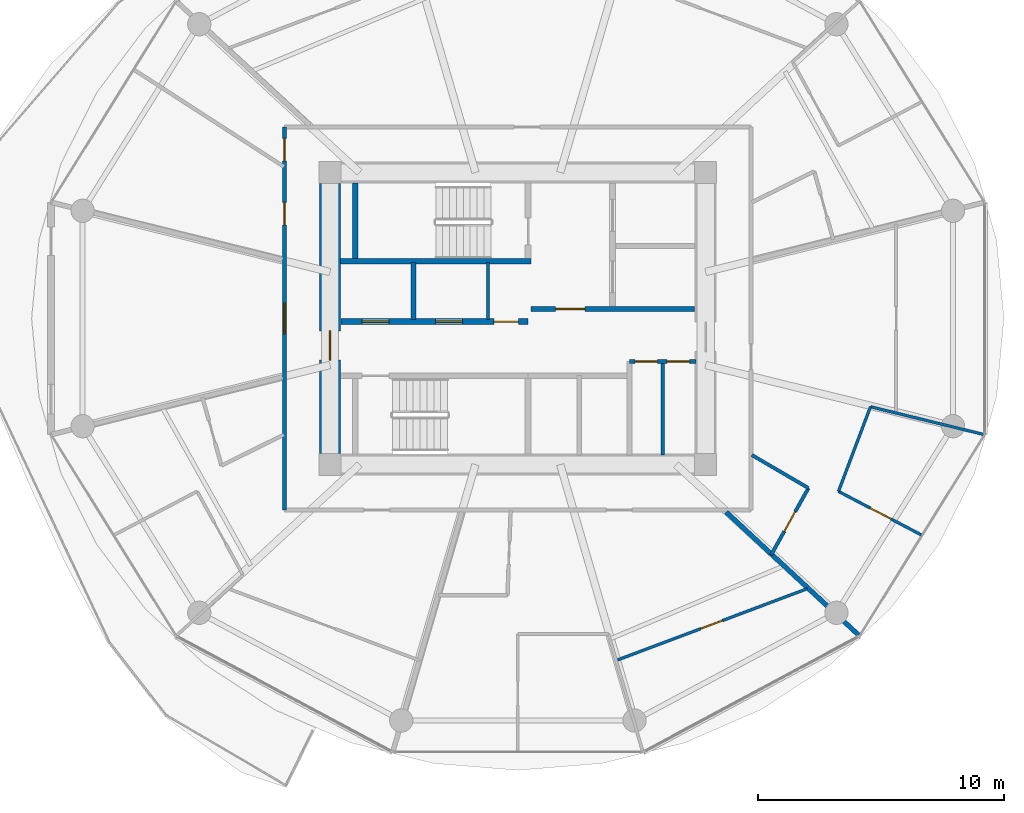
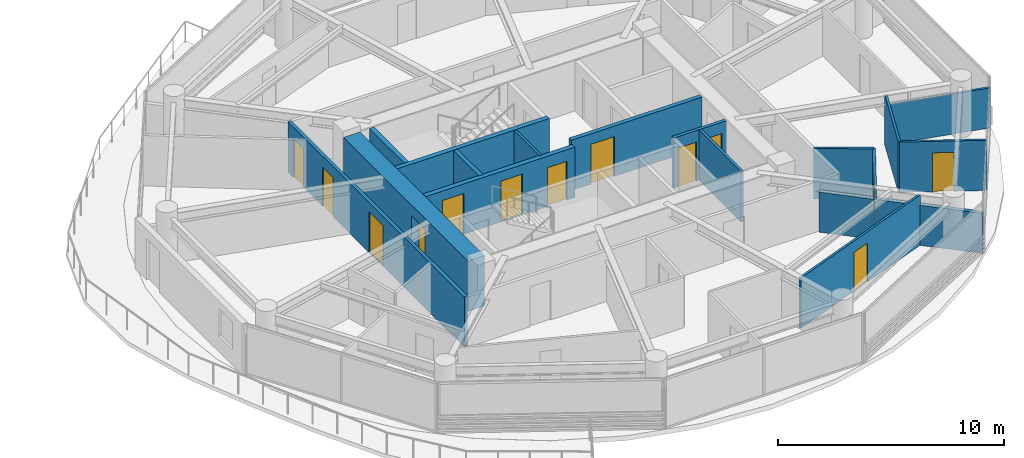
# One storey, part 19 of 26: 17 walls, 13 doors, 13 openings.
"""IFC4 building model written with IfcOpenShell, lengths in metres."""

from ifc_helpers import new_model, si_unit, direction, frame, frame_2d, origin, place, context, subcontext, project, spatial, rectangle, extrude, source, transform, mapped, material, layer, layer_set, type_object, type_shapes, element, fill, save


model = new_model("IFC4")

# Units and contexts
model_context = context("Model", 3, precision=1e-05, world=origin(), true_north=direction((0.0, 1.0)))
body_context = subcontext(model_context, "Body", "Model", "MODEL_VIEW")
ifc_project = project(units=[si_unit("LENGTHUNIT", "METRE"), si_unit("AREAUNIT", "SQUARE_METRE"), si_unit("VOLUMEUNIT", "CUBIC_METRE"), si_unit("PLANEANGLEUNIT", "RADIAN"), si_unit("MASSUNIT", "GRAM", prefix="KILO")], contexts=[model_context])

# Site, building, storey
site_placement = place(None, origin())
site = spatial("IfcSite", under=ifc_project, at=site_placement, CompositionType="ELEMENT")
building_placement = place(site_placement, origin())
building = spatial("IfcBuilding", under=site, at=building_placement, Name="Norrkilde Senior Care Towers", CompositionType="ELEMENT")
storey_placement = place(building_placement, frame((0.0, 0.0, 70.39990234375)))
storey = spatial("IfcBuildingStorey", under=building, at=storey_placement, Name="L21", CompositionType="ELEMENT", Elevation=70.39990234375)

# Wall, opening, door
ifc_material_1 = material(Name="Concrete C60/75", Category="concrete")
ifc_layer_1 = layer(ifc_material_1, 0.85009765625)
ifc_layer_set_1 = layer_set([ifc_layer_1], Name="Concrete C60/75")
wall_type_1 = type_object("IfcWallType", Name="Core Shear Wall Z1 850", PredefinedType="SHEAR", material=ifc_layer_set_1)
shared_shape_1 = source(origin(), body_context, "Body", "SweptSolid", [
    extrude(rectangle(XDim=11.0, YDim=0.85009765625, at=frame_2d((5.5, 0.0))), origin(), (0.0, 0.0, 1.0), 2.72998046875),
])
type_shapes(wall_type_1, [shared_shape_1])
wall_1_placement = place(storey_placement, frame((20.35009765625, -5.5, 0.0), z_axis=(0.0, 0.0, 1.0), x_axis=(0.0, 1.0, 0.0)))
wall_1 = element("IfcWall", 1, at=wall_1_placement, inside=storey, type_object=wall_type_1, Name="L21 Core E West Shear Wall", PredefinedType="SHEAR", context=body_context, shape_type="MappedRepresentation", body=[
    mapped(shared_shape_1, transform((0.0, 0.0, 0.0), x_axis=(1.0, 0.0, 0.0), y_axis=(0.0, 1.0, 0.0), z_axis=(0.0, 0.0, 1.0), scale=1.0)),
])
opening_1_placement = place(wall_1_placement, frame((3.800048828125, 0.0, 0.0)))
opening_1 = element("IfcOpeningElement", 2, at=opening_1_placement, cuts=wall_1, Name="Opening D-04", PredefinedType="OPENING", context=body_context, shape_type="SweptSolid", body=[
    extrude(rectangle(XDim=1.199951171875, YDim=2.14990234375, at=frame_2d((0.60009765625, 1.074951171875))), frame((0.0, 0.43505859375, 0.0), z_axis=(0.0, -1.0, 0.0), x_axis=(1.0, 0.0, 0.0)), (0.0, 0.0, 1.0), 0.8701171875),
])
ifc_material_2 = material(Name="Galvanised Painted Steel", Category="steel")
door_type_1 = type_object("IfcDoorType", Name="Firefighting Lobby Fire Door 1200x2150", OperationType="NOTDEFINED", PredefinedType="DOOR", material=ifc_material_2)
shared_shape_2 = source(origin(), body_context, "Body", "SweptSolid", [
    extrude(rectangle(XDim=1.199951171875, YDim=2.14990234375, at=frame_2d((0.60009765625, 1.074951171875))), frame((0.0, 0.02490234375, 0.0), z_axis=(0.0, -1.0, 0.0), x_axis=(1.0, 0.0, 0.0)), (0.0, 0.0, 1.0), 0.050048828125),
])
type_shapes(door_type_1, [shared_shape_2])
door_1_placement = place(opening_1_placement, frame((1.199951171875, 0.0, 0.0), z_axis=(0.0, 0.0, 1.0), x_axis=(-1.0, 0.0, 0.0)))
door_1 = element("IfcDoor", 3, at=door_1_placement, inside=storey, type_object=door_type_1, Name="L21 Core E West Portal Door", OperationType="SINGLE_SWING_LEFT", OverallHeight=2.14990234375, OverallWidth=1.199951171875, PredefinedType="DOOR", context=body_context, shape_type="MappedRepresentation", body=[
    mapped(shared_shape_2, transform((0.0, 0.0, 0.0), x_axis=(1.0, 0.0, 0.0), y_axis=(0.0, 1.0, 0.0), z_axis=(0.0, 0.0, 1.0), scale=1.0)),
])
fill(opening_1, door_1)

# Walls
ifc_material_3 = material(Name="Concrete C45/55", Category="concrete")
ifc_layer_2 = layer(ifc_material_3, 0.239990234375)
ifc_layer_set_2 = layer_set([ifc_layer_2], Name="Concrete C45/55")
wall_type_2 = type_object("IfcWallType", Name="Shaft and Stair Enclosure Wall 240", PredefinedType="PARTITIONING", material=ifc_layer_set_2)
shared_shape_3 = source(origin(), body_context, "Body", "SweptSolid", [
    extrude(rectangle(XDim=7.76513671875, YDim=0.239990234375, at=frame_2d((3.882568359375, 0.0))), origin(), (0.0, 0.0, 1.0), 2.72998046875),
])
wall_2_placement = place(storey_placement, frame((20.77490234375, 2.330078125, 0.0), z_axis=(0.0, 0.0, 1.0), x_axis=(1.0, 0.0, 0.0)))
element("IfcWall", 4, at=wall_2_placement, inside=storey, type_object=wall_type_2, Name="WL-INT-L21-E-ST1S", PredefinedType="PARTITIONING", context=body_context, shape_type="MappedRepresentation", body=[
    mapped(shared_shape_3, transform((0.0, 0.0, 0.0), x_axis=(1.0, 0.0, 0.0), y_axis=(0.0, 1.0, 0.0), z_axis=(0.0, 0.0, 1.0), scale=1.0)),
])
shared_shape_4 = source(origin(), body_context, "Body", "SweptSolid", [
    extrude(rectangle(XDim=3.074951171875, YDim=0.239990234375, at=frame_2d((1.53759765625, 0.0))), origin(), (0.0, 0.0, 1.0), 2.72998046875),
])
type_shapes(wall_type_2, [shared_shape_3, shared_shape_4])
wall_3_placement = place(storey_placement, frame((21.3798828125, 2.449951171875, 0.0), z_axis=(0.0, 0.0, 1.0), x_axis=(0.0, 1.0, 0.0)))
element("IfcWall", 5, at=wall_3_placement, inside=storey, type_object=wall_type_2, Name="WL-INT-L21-E-ST1W", PredefinedType="PARTITIONING", context=body_context, shape_type="MappedRepresentation", body=[
    mapped(shared_shape_4, transform((0.0, 0.0, 0.0), x_axis=(1.0, 0.0, 0.0), y_axis=(0.0, 1.0, 0.0), z_axis=(0.0, 0.0, 1.0), scale=1.0)),
])

# Wall, opening, door
ifc_layer_3 = layer(ifc_material_3, 0.2099609375)
ifc_layer_set_3 = layer_set([ifc_layer_3], Name="Concrete C45/55")
wall_type_3 = type_object("IfcWallType", Name="Firefighting Lobby Wall 210", PredefinedType="PARTITIONING", material=ifc_layer_set_3)
shared_shape_5 = source(origin(), body_context, "Body", "SweptSolid", [
    extrude(rectangle(XDim=6.659912109375, YDim=0.2099609375, at=frame_2d((3.330078125, 0.0))), origin(), (0.0, 0.0, 1.0), 2.715087890625),
])
type_shapes(wall_type_3, [shared_shape_5])
wall_4_placement = place(storey_placement, frame((28.5400390625, 0.389892578125, 0.0), z_axis=(0.0, 0.0, 1.0), x_axis=(1.0, 0.0, 0.0)))
wall_4 = element("IfcWall", 6, at=wall_4_placement, inside=storey, type_object=wall_type_3, Name="WL-INT-L21-E-FFLS", PredefinedType="PARTITIONING", context=body_context, shape_type="MappedRepresentation", body=[
    mapped(shared_shape_5, transform((0.0, 0.0, 0.0), x_axis=(1.0, 0.0, 0.0), y_axis=(0.0, 1.0, 0.0), z_axis=(0.0, 0.0, 1.0), scale=1.0)),
])
opening_2_placement = place(wall_4_placement, frame((1.0, 0.0, 0.0)))
opening_2 = element("IfcOpeningElement", 7, at=opening_2_placement, cuts=wall_4, Name="Opening D-04", PredefinedType="OPENING", context=body_context, shape_type="SweptSolid", body=[
    extrude(rectangle(XDim=1.199951171875, YDim=2.14990234375, at=frame_2d((0.60009765625, 1.074951171875))), frame((0.0, 0.114990234375, 0.0), z_axis=(0.0, -1.0, 0.0), x_axis=(1.0, 0.0, 0.0)), (0.0, 0.0, 1.0), 0.22998046875),
])
door_2_placement = place(opening_2_placement, frame((1.199951171875, 0.0, 0.0), z_axis=(0.0, 0.0, 1.0), x_axis=(-1.0, 0.0, 0.0)))
door_2 = element("IfcDoor", 8, at=door_2_placement, inside=storey, type_object=door_type_1, Name="L21 Firefighting Lobby E Door", OperationType="SINGLE_SWING_LEFT", OverallHeight=2.14990234375, OverallWidth=1.199951171875, PredefinedType="DOOR", context=body_context, shape_type="MappedRepresentation", body=[
    mapped(shared_shape_2, transform((0.0, 0.0, 0.0), x_axis=(1.0, 0.0, 0.0), y_axis=(0.0, 1.0, 0.0), z_axis=(0.0, 0.0, 1.0), scale=1.0)),
])
fill(opening_2, door_2)

# Wall, openings, doors
ifc_layer_4 = layer(ifc_material_3, 0.239990234375)
ifc_layer_set_4 = layer_set([ifc_layer_4], Name="Concrete C45/55")
wall_type_4 = type_object("IfcWallType", Name="Lift and Plant Rated Enclosure Partition 240", PredefinedType="PARTITIONING", material=ifc_layer_set_4)
shared_shape_6 = source(origin(), body_context, "Body", "SweptSolid", [
    extrude(rectangle(XDim=7.619873046875, YDim=0.239990234375, at=frame_2d((3.81005859375, 0.0))), origin(), (0.0, 0.0, 1.0), 2.715087890625),
])
type_shapes(wall_type_4, [shared_shape_6])
wall_5_placement = place(storey_placement, frame((20.800048828125, -0.1298828125, 0.0), z_axis=(0.0, 0.0, 1.0), x_axis=(1.0, 0.0, 0.0)))
wall_5 = element("IfcWall", 9, at=wall_5_placement, inside=storey, type_object=wall_type_4, Name="WL-INT-L21-E-PKAS", PredefinedType="PARTITIONING", context=body_context, shape_type="MappedRepresentation", body=[
    mapped(shared_shape_6, transform((0.0, 0.0, 0.0), x_axis=(1.0, 0.0, 0.0), y_axis=(0.0, 1.0, 0.0), z_axis=(0.0, 0.0, 1.0), scale=1.0)),
])
opening_3_placement = place(wall_5_placement, frame((6.219970703125, 0.0, 0.0)))
opening_3 = element("IfcOpeningElement", 10, at=opening_3_placement, cuts=wall_5, Name="Opening D-10", PredefinedType="OPENING", context=body_context, shape_type="SweptSolid", body=[
    extrude(rectangle(XDim=1.0, YDim=2.10009765625, at=frame_2d((0.5, 1.050048828125))), frame((0.0, 0.1298828125, 0.0), z_axis=(0.0, -1.0, 0.0), x_axis=(1.0, 0.0, 0.0)), (0.0, 0.0, 1.0), 0.260009765625),
])
opening_4_placement = place(wall_5_placement, frame((0.85009765625, 0.0, 0.0)))
opening_4 = element("IfcOpeningElement", 11, at=opening_4_placement, cuts=wall_5, Name="Opening LD-01", PredefinedType="OPENING", context=body_context, shape_type="SweptSolid", body=[
    extrude(rectangle(XDim=1.10009765625, YDim=2.199951171875, at=frame_2d((0.550048828125, 1.10009765625))), frame((0.0, 0.1298828125, 0.0), z_axis=(0.0, -1.0, 0.0), x_axis=(1.0, 0.0, 0.0)), (0.0, 0.0, 1.0), 0.260009765625),
])
opening_5_placement = place(wall_5_placement, frame((3.85009765625, 0.0, 0.0)))
opening_5 = element("IfcOpeningElement", 12, at=opening_5_placement, cuts=wall_5, Name="Opening LD-01", PredefinedType="OPENING", context=body_context, shape_type="SweptSolid", body=[
    extrude(rectangle(XDim=1.10009765625, YDim=2.199951171875, at=frame_2d((0.550048828125, 1.10009765625))), frame((0.0, 0.1298828125, 0.0), z_axis=(0.0, -1.0, 0.0), x_axis=(1.0, 0.0, 0.0)), (0.0, 0.0, 1.0), 0.260009765625),
])
door_type_2 = type_object("IfcDoorType", Name="Plant and Riser Rated Door 1000x2100", OperationType="NOTDEFINED", PredefinedType="DOOR", material=ifc_material_2)
shared_shape_7 = source(origin(), body_context, "Body", "SweptSolid", [
    extrude(rectangle(XDim=1.0, YDim=2.10009765625, at=frame_2d((0.5, 1.050048828125))), frame((0.0, 0.02490234375, 0.0), z_axis=(0.0, -1.0, 0.0), x_axis=(1.0, 0.0, 0.0)), (0.0, 0.0, 1.0), 0.050048828125),
])
type_shapes(door_type_2, [shared_shape_7])
door_3_placement = place(opening_3_placement, frame((1.0, 0.0, 0.0), z_axis=(0.0, 0.0, 1.0), x_axis=(-1.0, 0.0, 0.0)))
door_3 = element("IfcDoor", 13, at=door_3_placement, inside=storey, type_object=door_type_2, Name="L21 Electrical Riser E Door", OperationType="SINGLE_SWING_LEFT", OverallHeight=2.10009765625, OverallWidth=1.0, PredefinedType="DOOR", context=body_context, shape_type="MappedRepresentation", body=[
    mapped(shared_shape_7, transform((0.0, 0.0, 0.0), x_axis=(1.0, 0.0, 0.0), y_axis=(0.0, 1.0, 0.0), z_axis=(0.0, 0.0, 1.0), scale=1.0)),
])
fill(opening_3, door_3)
ifc_material_4 = material(Name="Stainless Steel", Category="steel")
door_type_3 = type_object("IfcDoorType", Name="Lift Landing Sliding Door 1100x2200", OperationType="NOTDEFINED", PredefinedType="DOOR", material=ifc_material_4)
shared_shape_8 = source(origin(), body_context, "Body", "SweptSolid", [
    extrude(rectangle(XDim=1.10009765625, YDim=2.199951171875, at=frame_2d((0.550048828125, 1.10009765625))), frame((0.0, 0.02490234375, 0.0), z_axis=(0.0, -1.0, 0.0), x_axis=(1.0, 0.0, 0.0)), (0.0, 0.0, 1.0), 0.050048828125),
])
type_shapes(door_type_3, [shared_shape_8])
door_4_placement = place(opening_4_placement, origin())
door_4 = element("IfcDoor", 14, at=door_4_placement, inside=storey, type_object=door_type_3, Name="L21 Passenger Lift E1 Landing Door", OperationType="SLIDING_TO_LEFT", OverallHeight=2.199951171875, OverallWidth=1.10009765625, PredefinedType="DOOR", context=body_context, shape_type="MappedRepresentation", body=[
    mapped(shared_shape_8, transform((0.0, 0.0, 0.0), x_axis=(1.0, 0.0, 0.0), y_axis=(0.0, 1.0, 0.0), z_axis=(0.0, 0.0, 1.0), scale=1.0)),
])
fill(opening_4, door_4)
door_5_placement = place(opening_5_placement, origin())
door_5 = element("IfcDoor", 15, at=door_5_placement, inside=storey, type_object=door_type_3, Name="L21 Passenger Lift E2 Landing Door", OperationType="SLIDING_TO_RIGHT", OverallHeight=2.199951171875, OverallWidth=1.10009765625, PredefinedType="DOOR", context=body_context, shape_type="MappedRepresentation", body=[
    mapped(shared_shape_8, transform((0.0, 0.0, 0.0), x_axis=(1.0, 0.0, 0.0), y_axis=(0.0, 1.0, 0.0), z_axis=(0.0, 0.0, 1.0), scale=1.0)),
])
fill(opening_5, door_5)

# Walls
ifc_material_5 = material(Name="Gypsum Acoustic Board")
ifc_layer_5 = layer(ifc_material_5, 0.114990234375)
ifc_layer_set_5 = layer_set([ifc_layer_5], Name="Gypsum Acoustic Board")
wall_type_5 = type_object("IfcWallType", Name="Internal Room Partition 115", PredefinedType="PARTITIONING", material=ifc_layer_set_5)
shared_shape_9 = source(origin(), body_context, "Body", "SweptSolid", [
    extrude(rectangle(XDim=2.330078125, YDim=0.114990234375, at=frame_2d((1.1650390625, 0.0))), origin(), (0.0, 0.0, 1.0), 2.715087890625),
])
wall_6_placement = place(storey_placement, frame((26.7900390625, -0.050048828125, 0.0), z_axis=(0.0, 0.0, 1.0), x_axis=(0.0, 1.0, 0.0)))
element("IfcWall", 16, at=wall_6_placement, inside=storey, type_object=wall_type_5, Name="WL-INT-L21-E-RISW", PredefinedType="PARTITIONING", context=body_context, shape_type="MappedRepresentation", body=[
    mapped(shared_shape_9, transform((0.0, 0.0, 0.0), x_axis=(1.0, 0.0, 0.0), y_axis=(0.0, 1.0, 0.0), z_axis=(0.0, 0.0, 1.0), scale=1.0)),
])
ifc_layer_6 = layer(ifc_material_3, 0.199951171875)
ifc_layer_set_6 = layer_set([ifc_layer_6], Name="Concrete C45/55")
wall_type_6 = type_object("IfcWallType", Name="Shaft Division and Plant Partition 200", PredefinedType="PARTITIONING", material=ifc_layer_set_6)
shared_shape_10 = source(origin(), body_context, "Body", "SweptSolid", [
    extrude(rectangle(XDim=2.330078125, YDim=0.199951171875, at=frame_2d((1.1650390625, 0.0))), origin(), (0.0, 0.0, 1.0), 2.715087890625),
])
type_shapes(wall_type_6, [shared_shape_10])
wall_7_placement = place(storey_placement, frame((23.75, -0.050048828125, 0.0), z_axis=(0.0, 0.0, 1.0), x_axis=(0.0, 1.0, 0.0)))
element("IfcWall", 17, at=wall_7_placement, inside=storey, type_object=wall_type_6, Name="WL-INT-L21-E-PL12", PredefinedType="PARTITIONING", context=body_context, shape_type="MappedRepresentation", body=[
    mapped(shared_shape_10, transform((0.0, 0.0, 0.0), x_axis=(1.0, 0.0, 0.0), y_axis=(0.0, 1.0, 0.0), z_axis=(0.0, 0.0, 1.0), scale=1.0)),
])

# Wall, openings, doors
ifc_layer_7 = layer(ifc_material_5, 0.1650390625)
ifc_layer_set_7 = layer_set([ifc_layer_7], Name="Gypsum Acoustic Board")
wall_type_7 = type_object("IfcWallType", Name="Corridor Rated Partition 165", PredefinedType="PARTITIONING", material=ifc_layer_set_7)
shared_shape_11 = source(origin(), body_context, "Body", "SweptSolid", [
    extrude(rectangle(XDim=2.699951171875, YDim=0.1650390625, at=frame_2d((1.35009765625, 0.0))), origin(), (0.0, 0.0, 1.0), 2.715087890625),
])
wall_8_placement = place(storey_placement, frame((32.550048828125, -1.75, 0.0), z_axis=(0.0, 0.0, 1.0), x_axis=(1.0, 0.0, 0.0)))
wall_8 = element("IfcWall", 18, at=wall_8_placement, inside=storey, type_object=wall_type_7, Name="WL-INT-L21-E-CSN", PredefinedType="PARTITIONING", context=body_context, shape_type="MappedRepresentation", body=[
    mapped(shared_shape_11, transform((0.0, 0.0, 0.0), x_axis=(1.0, 0.0, 0.0), y_axis=(0.0, 1.0, 0.0), z_axis=(0.0, 0.0, 1.0), scale=1.0)),
])
opening_6_placement = place(wall_8_placement, frame((0.222412109375, 0.0, 0.0)))
opening_6 = element("IfcOpeningElement", 19, at=opening_6_placement, cuts=wall_8, Name="Opening D-12", PredefinedType="OPENING", context=body_context, shape_type="SweptSolid", body=[
    extrude(rectangle(XDim=0.925048828125, YDim=2.10009765625, at=frame_2d((0.46240234375, 1.050048828125))), frame((0.0, 0.092529296875, 0.0), z_axis=(0.0, -1.0, 0.0), x_axis=(1.0, 0.0, 0.0)), (0.0, 0.0, 1.0), 0.18505859375),
])
opening_7_placement = place(wall_8_placement, frame((1.5224609375, 0.0, 0.0)))
opening_7 = element("IfcOpeningElement", 20, at=opening_7_placement, cuts=wall_8, Name="Opening D-12", PredefinedType="OPENING", context=body_context, shape_type="SweptSolid", body=[
    extrude(rectangle(XDim=0.925048828125, YDim=2.10009765625, at=frame_2d((0.46240234375, 1.050048828125))), frame((0.0, 0.092529296875, 0.0), z_axis=(0.0, -1.0, 0.0), x_axis=(1.0, 0.0, 0.0)), (0.0, 0.0, 1.0), 0.18505859375),
])
door_type_4 = type_object("IfcDoorType", Name="Core Wet Room Rated Door 925x2100", OperationType="NOTDEFINED", PredefinedType="DOOR", material=ifc_material_2)
shared_shape_12 = source(origin(), body_context, "Body", "SweptSolid", [
    extrude(rectangle(XDim=0.925048828125, YDim=2.10009765625, at=frame_2d((0.46240234375, 1.050048828125))), frame((0.0, 0.02490234375, 0.0), z_axis=(0.0, -1.0, 0.0), x_axis=(1.0, 0.0, 0.0)), (0.0, 0.0, 1.0), 0.050048828125),
])
type_shapes(door_type_4, [shared_shape_12])
door_6_placement = place(opening_6_placement, origin())
door_6 = element("IfcDoor", 21, at=door_6_placement, inside=storey, type_object=door_type_4, Name="L21 Staff Accessible WC E Door", OperationType="SINGLE_SWING_LEFT", OverallHeight=2.10009765625, OverallWidth=0.925048828125, PredefinedType="DOOR", context=body_context, shape_type="MappedRepresentation", body=[
    mapped(shared_shape_12, transform((0.0, 0.0, 0.0), x_axis=(1.0, 0.0, 0.0), y_axis=(0.0, 1.0, 0.0), z_axis=(0.0, 0.0, 1.0), scale=1.0)),
])
fill(opening_6, door_6)
door_7_placement = place(opening_7_placement, origin())
door_7 = element("IfcDoor", 22, at=door_7_placement, inside=storey, type_object=door_type_4, Name="L21 Housekeeping Store E Door", OperationType="SINGLE_SWING_RIGHT", OverallHeight=2.10009765625, OverallWidth=0.925048828125, PredefinedType="DOOR", context=body_context, shape_type="MappedRepresentation", body=[
    mapped(shared_shape_12, transform((0.0, 0.0, 0.0), x_axis=(1.0, 0.0, 0.0), y_axis=(0.0, 1.0, 0.0), z_axis=(0.0, 0.0, 1.0), scale=1.0)),
])
fill(opening_7, door_7)

# Wall
ifc_layer_8 = layer(ifc_material_5, 0.139892578125)
ifc_layer_set_8 = layer_set([ifc_layer_8], Name="Gypsum Acoustic Board")
wall_type_8 = type_object("IfcWallType", Name="En-suite Wet Room Wall 140", PredefinedType="PARTITIONING", material=ifc_layer_set_8)
shared_shape_13 = source(origin(), body_context, "Body", "SweptSolid", [
    extrude(rectangle(XDim=3.800048828125, YDim=0.139892578125, at=frame_2d((1.89990234375, 0.0))), origin(), (0.0, 0.0, 1.0), 2.715087890625),
])
wall_9_placement = place(storey_placement, frame((33.89990234375, -5.550048828125, 0.0), z_axis=(0.0, 0.0, 1.0), x_axis=(0.0, 1.0, 0.0)))
element("IfcWall", 23, at=wall_9_placement, inside=storey, type_object=wall_type_8, Name="WL-INT-L21-E-CS1V", PredefinedType="PARTITIONING", context=body_context, shape_type="MappedRepresentation", body=[
    mapped(shared_shape_13, transform((0.0, 0.0, 0.0), x_axis=(1.0, 0.0, 0.0), y_axis=(0.0, 1.0, 0.0), z_axis=(0.0, 0.0, 1.0), scale=1.0)),
])

# Wall, openings, doors
shared_shape_14 = source(origin(), body_context, "Body", "SweptSolid", [
    extrude(rectangle(XDim=15.60009765625, YDim=0.1650390625, at=frame_2d((7.800048828125, 0.0))), origin(), (0.0, 0.0, 1.0), 2.715087890625),
])
type_shapes(wall_type_7, [shared_shape_11, shared_shape_14])
wall_10_placement = place(storey_placement, frame((18.5, -7.800048828125, 0.0), z_axis=(0.0, 0.0, 1.0), x_axis=(0.0, 1.0, 0.0)))
wall_10 = element("IfcWall", 24, at=wall_10_placement, inside=storey, type_object=wall_type_7, Name="WL-INT-L21-E-CRW-W-0", PredefinedType="PARTITIONING", context=body_context, shape_type="MappedRepresentation", body=[
    mapped(shared_shape_14, transform((0.0, 0.0, 0.0), x_axis=(1.0, 0.0, 0.0), y_axis=(0.0, 1.0, 0.0), z_axis=(0.0, 0.0, 1.0), scale=1.0)),
])
opening_8_placement = place(wall_10_placement, frame((14.214599609375, 0.0, 0.0)))
opening_8 = element("IfcOpeningElement", 25, at=opening_8_placement, cuts=wall_10, Name="Opening D-08", PredefinedType="OPENING", context=body_context, shape_type="SweptSolid", body=[
    extrude(rectangle(XDim=0.919921875, YDim=2.10009765625, at=frame_2d((0.4599609375, 1.050048828125))), frame((0.0, 0.092529296875, 0.0), z_axis=(0.0, -1.0, 0.0), x_axis=(1.0, 0.0, 0.0)), (0.0, 0.0, 1.0), 0.18505859375),
])
opening_9_placement = place(wall_10_placement, frame((11.609130859375, 0.0, 0.0)))
opening_9 = element("IfcOpeningElement", 26, at=opening_9_placement, cuts=wall_10, Name="Opening D-08", PredefinedType="OPENING", context=body_context, shape_type="SweptSolid", body=[
    extrude(rectangle(XDim=0.919921875, YDim=2.10009765625, at=frame_2d((0.4599609375, 1.050048828125))), frame((0.0, 0.092529296875, 0.0), z_axis=(0.0, -1.0, 0.0), x_axis=(1.0, 0.0, 0.0)), (0.0, 0.0, 1.0), 0.18505859375),
])
opening_10_placement = place(wall_10_placement, frame((7.175048828125, 0.0, 0.0)))
opening_10 = element("IfcOpeningElement", 27, at=opening_10_placement, cuts=wall_10, Name="Opening D-05", PredefinedType="OPENING", context=body_context, shape_type="SweptSolid", body=[
    extrude(rectangle(XDim=1.25, YDim=2.199951171875, at=frame_2d((0.625, 1.10009765625))), frame((0.0, 0.092529296875, 0.0), z_axis=(0.0, -1.0, 0.0), x_axis=(1.0, 0.0, 0.0)), (0.0, 0.0, 1.0), 0.18505859375),
])
ifc_material_6 = material(Name="Nordic Ash Timber", Category="wood")
door_type_5 = type_object("IfcDoorType", Name="Care Bedroom Bariatric Door 1250x2200", OperationType="NOTDEFINED", PredefinedType="DOOR", material=ifc_material_6)
shared_shape_15 = source(origin(), body_context, "Body", "SweptSolid", [
    extrude(rectangle(XDim=1.25, YDim=2.199951171875, at=frame_2d((0.625, 1.10009765625))), frame((0.0, 0.02490234375, 0.0), z_axis=(0.0, -1.0, 0.0), x_axis=(1.0, 0.0, 0.0)), (0.0, 0.0, 1.0), 0.050048828125),
])
type_shapes(door_type_5, [shared_shape_15])
door_8_placement = place(opening_10_placement, frame((1.25, 0.0, 0.0), z_axis=(0.0, 0.0, 1.0), x_axis=(-1.0, 0.0, 0.0)))
door_8 = element("IfcDoor", 28, at=door_8_placement, inside=storey, type_object=door_type_5, Name="L21 Senior Wellness Library Lounge Door", OperationType="SINGLE_SWING_RIGHT", OverallHeight=2.199951171875, OverallWidth=1.25, PredefinedType="DOOR", context=body_context, shape_type="MappedRepresentation", body=[
    mapped(shared_shape_15, transform((0.0, 0.0, 0.0), x_axis=(1.0, 0.0, 0.0), y_axis=(0.0, 1.0, 0.0), z_axis=(0.0, 0.0, 1.0), scale=1.0)),
])
fill(opening_10, door_8)
door_type_6 = type_object("IfcDoorType", Name="Accessible Wet Room Door 920x2100", OperationType="NOTDEFINED", PredefinedType="DOOR", material=ifc_material_6)
shared_shape_16 = source(origin(), body_context, "Body", "SweptSolid", [
    extrude(rectangle(XDim=0.919921875, YDim=2.10009765625, at=frame_2d((0.4599609375, 1.050048828125))), frame((0.0, 0.02490234375, 0.0), z_axis=(0.0, -1.0, 0.0), x_axis=(1.0, 0.0, 0.0)), (0.0, 0.0, 1.0), 0.050048828125),
])
type_shapes(door_type_6, [shared_shape_16])
door_9_placement = place(opening_8_placement, frame((0.919921875, 0.0, 0.0), z_axis=(0.0, 0.0, 1.0), x_axis=(-1.0, 0.0, 0.0)))
door_9 = element("IfcDoor", 29, at=door_9_placement, inside=storey, type_object=door_type_6, Name="L21 Accessible Restroom Door", OperationType="SINGLE_SWING_LEFT", OverallHeight=2.10009765625, OverallWidth=0.919921875, PredefinedType="DOOR", context=body_context, shape_type="MappedRepresentation", body=[
    mapped(shared_shape_16, transform((0.0, 0.0, 0.0), x_axis=(1.0, 0.0, 0.0), y_axis=(0.0, 1.0, 0.0), z_axis=(0.0, 0.0, 1.0), scale=1.0)),
])
fill(opening_8, door_9)
door_10_placement = place(opening_9_placement, frame((0.919921875, 0.0, 0.0), z_axis=(0.0, 0.0, 1.0), x_axis=(-1.0, 0.0, 0.0)))
door_10 = element("IfcDoor", 30, at=door_10_placement, inside=storey, type_object=door_type_6, Name="L21 Public Restroom Door", OperationType="SINGLE_SWING_RIGHT", OverallHeight=2.10009765625, OverallWidth=0.919921875, PredefinedType="DOOR", context=body_context, shape_type="MappedRepresentation", body=[
    mapped(shared_shape_16, transform((0.0, 0.0, 0.0), x_axis=(1.0, 0.0, 0.0), y_axis=(0.0, 1.0, 0.0), z_axis=(0.0, 0.0, 1.0), scale=1.0)),
])
fill(opening_9, door_10)

# Wall
ifc_layer_9 = layer(ifc_material_5, 0.18994140625)
ifc_layer_set_9 = layer_set([ifc_layer_9], Name="Gypsum Acoustic Board")
wall_type_9 = type_object("IfcWallType", Name="Unit Demising Acoustic Wall 190", PredefinedType="PARTITIONING", material=ifc_layer_set_9)
shared_shape_17 = source(origin(), body_context, "Body", "SweptSolid", [
    extrude(rectangle(XDim=7.4345703125, YDim=0.18994140625, at=frame_2d((3.71728515625, 0.0))), origin(), (0.0, 0.0, 1.0), 2.1650390625),
])
type_shapes(wall_type_9, [shared_shape_17])
wall_11_placement = place(storey_placement, frame((36.48291015625, -7.8798828125, 0.0), z_axis=(0.0, 0.0, 1.0), x_axis=(0.732651956848, -0.680603489652, 0.0)))
element("IfcWall", 31, at=wall_11_placement, inside=storey, type_object=wall_type_9, Name="WL-INT-L21-E-DEM-10-0", PredefinedType="PARTITIONING", context=body_context, shape_type="MappedRepresentation", body=[
    mapped(shared_shape_17, transform((0.0, 0.0, 0.0), x_axis=(1.0, 0.0, 0.0), y_axis=(0.0, 1.0, 0.0), z_axis=(0.0, 0.0, 1.0), scale=1.0)),
])

# Wall, opening, door
shared_shape_18 = source(origin(), body_context, "Body", "SweptSolid", [
    extrude(rectangle(XDim=8.31982421875, YDim=0.114990234375, at=frame_2d((4.159912109375, 0.0))), origin(), (0.0, 0.0, 1.0), 2.715087890625),
])
wall_12_placement = place(storey_placement, frame((31.997314453125, -13.93017578125, 0.0), z_axis=(0.0, 0.0, 1.0), x_axis=(0.936180763098, 0.351518959382, 0.0)))
wall_12 = element("IfcWall", 32, at=wall_12_placement, inside=storey, type_object=wall_type_5, Name="WL-INT-L21-E-UBC-08-1", PredefinedType="PARTITIONING", context=body_context, shape_type="MappedRepresentation", body=[
    mapped(shared_shape_18, transform((0.0, 0.0, 0.0), x_axis=(1.0, 0.0, 0.0), y_axis=(0.0, 1.0, 0.0), z_axis=(0.0, 0.0, 1.0), scale=1.0)),
])
opening_11_placement = place(wall_12_placement, frame((3.684814453125, 0.0, 0.0)))
opening_11 = element("IfcOpeningElement", 33, at=opening_11_placement, cuts=wall_12, Name="Opening D-07", PredefinedType="OPENING", context=body_context, shape_type="SweptSolid", body=[
    extrude(rectangle(XDim=0.949951171875, YDim=2.10009765625, at=frame_2d((0.47509765625, 1.050048828125))), frame((0.0, 0.0673828125, 0.0), z_axis=(0.0, -1.0, 0.0), x_axis=(1.0, 0.0, 0.0)), (0.0, 0.0, 1.0), 0.135009765625),
])
door_type_7 = type_object("IfcDoorType", Name="Internal Suite Bedroom Door 950x2100", OperationType="NOTDEFINED", PredefinedType="DOOR", material=ifc_material_6)
shared_shape_19 = source(origin(), body_context, "Body", "SweptSolid", [
    extrude(rectangle(XDim=0.949951171875, YDim=2.10009765625, at=frame_2d((0.47509765625, 1.050048828125))), frame((0.0, 0.02490234375, 0.0), z_axis=(0.0, -1.0, 0.0), x_axis=(1.0, 0.0, 0.0)), (0.0, 0.0, 1.0), 0.050048828125),
])
type_shapes(door_type_7, [shared_shape_19])
door_11_placement = place(opening_11_placement, origin())
door_11 = element("IfcDoor", 34, at=door_11_placement, inside=storey, type_object=door_type_7, Name="Apartment 21B Bedroom 1 Door", OperationType="SINGLE_SWING_RIGHT", OverallHeight=2.10009765625, OverallWidth=0.949951171875, PredefinedType="DOOR", context=body_context, shape_type="MappedRepresentation", body=[
    mapped(shared_shape_19, transform((0.0, 0.0, 0.0), x_axis=(1.0, 0.0, 0.0), y_axis=(0.0, 1.0, 0.0), z_axis=(0.0, 0.0, 1.0), scale=1.0)),
])
fill(opening_11, door_11)

shared_shape_20 = source(origin(), body_context, "Body", "SweptSolid", [
    extrude(rectangle(XDim=3.863525390625, YDim=0.114990234375, at=frame_2d((1.931640625, 0.0))), origin(), (0.0, 0.0, 1.0), 2.715087890625),
])
wall_13_placement = place(storey_placement, frame((41.0595703125, -7.040771484375, 0.0), z_axis=(0.0, 0.0, 1.0), x_axis=(0.885194959803, -0.465220252289, 0.0)))
wall_13 = element("IfcWall", 35, at=wall_13_placement, inside=storey, type_object=wall_type_5, Name="WL-INT-L21-E-UKTS-10", PredefinedType="PARTITIONING", context=body_context, shape_type="MappedRepresentation", body=[
    mapped(shared_shape_20, transform((0.0, 0.0, 0.0), x_axis=(1.0, 0.0, 0.0), y_axis=(0.0, 1.0, 0.0), z_axis=(0.0, 0.0, 1.0), scale=1.0)),
])
opening_12_placement = place(wall_13_placement, frame((1.456787109375, 0.0, 0.0)))
opening_12 = element("IfcOpeningElement", 36, at=opening_12_placement, cuts=wall_13, Name="Opening D-07", PredefinedType="OPENING", context=body_context, shape_type="SweptSolid", body=[
    extrude(rectangle(XDim=0.949951171875, YDim=2.10009765625, at=frame_2d((0.47509765625, 1.050048828125))), frame((0.0, 0.0673828125, 0.0), z_axis=(0.0, -1.0, 0.0), x_axis=(1.0, 0.0, 0.0)), (0.0, 0.0, 1.0), 0.135009765625),
])
door_12_placement = place(opening_12_placement, frame((0.949951171875, 0.0, 0.0), z_axis=(0.0, 0.0, 1.0), x_axis=(-1.0, 0.0, 0.0)))
door_12 = element("IfcDoor", 37, at=door_12_placement, inside=storey, type_object=door_type_7, Name="Apartment 21C Kitchen Door", OperationType="SINGLE_SWING_LEFT", OverallHeight=2.10009765625, OverallWidth=0.949951171875, PredefinedType="DOOR", context=body_context, shape_type="MappedRepresentation", body=[
    mapped(shared_shape_19, transform((0.0, 0.0, 0.0), x_axis=(1.0, 0.0, 0.0), y_axis=(0.0, 1.0, 0.0), z_axis=(0.0, 0.0, 1.0), scale=1.0)),
])
fill(opening_12, door_12)

# Walls
shared_shape_21 = source(origin(), body_context, "Body", "SweptSolid", [
    extrude(rectangle(XDim=4.802978515625, YDim=0.114990234375, at=frame_2d((2.4013671875, 0.0))), origin(), (0.0, 0.0, 1.0), 2.1650390625),
])
wall_14_placement = place(storey_placement, frame((42.36376953125, -3.59375, 0.0), z_axis=(0.0, 0.0, 1.0), x_axis=(0.97129155908, -0.237892217736, 0.0)))
element("IfcWall", 38, at=wall_14_placement, inside=storey, type_object=wall_type_5, Name="WL-INT-L21-E-UBR-10-1", PredefinedType="PARTITIONING", context=body_context, shape_type="MappedRepresentation", body=[
    mapped(shared_shape_21, transform((0.0, 0.0, 0.0), x_axis=(1.0, 0.0, 0.0), y_axis=(0.0, 1.0, 0.0), z_axis=(0.0, 0.0, 1.0), scale=1.0)),
])
shared_shape_22 = source(origin(), body_context, "Body", "SweptSolid", [
    extrude(rectangle(XDim=2.66943359375, YDim=0.139892578125, at=frame_2d((1.334716796875, 0.0))), origin(), (0.0, 0.0, 1.0), 2.715087890625),
])
wall_15_placement = place(storey_placement, frame((37.530029296875, -5.560546875, 0.0), z_axis=(0.0, 0.0, 1.0), x_axis=(0.86369928178, -0.50400749067, 0.0)))
element("IfcWall", 39, at=wall_15_placement, inside=storey, type_object=wall_type_8, Name="WL-INT-L21-E-UBTS-10", PredefinedType="PARTITIONING", context=body_context, shape_type="MappedRepresentation", body=[
    mapped(shared_shape_22, transform((0.0, 0.0, 0.0), x_axis=(1.0, 0.0, 0.0), y_axis=(0.0, 1.0, 0.0), z_axis=(0.0, 0.0, 1.0), scale=1.0)),
])

# Wall, opening, door
shared_shape_23 = source(origin(), body_context, "Body", "SweptSolid", [
    extrude(rectangle(XDim=3.121337890625, YDim=0.139892578125, at=frame_2d((1.560546875, 0.0))), origin(), (0.0, 0.0, 1.0), 2.715087890625),
])
type_shapes(wall_type_8, [shared_shape_13, shared_shape_22, shared_shape_23])
wall_16_placement = place(storey_placement, frame((39.835693359375, -6.906005859375, 0.0), z_axis=(0.0, 0.0, 1.0), x_axis=(-0.487302357327, -0.873233309342, 0.0)))
wall_16 = element("IfcWall", 40, at=wall_16_placement, inside=storey, type_object=wall_type_8, Name="WL-INT-L21-E-UBTF-10", PredefinedType="PARTITIONING", context=body_context, shape_type="MappedRepresentation", body=[
    mapped(shared_shape_23, transform((0.0, 0.0, 0.0), x_axis=(1.0, 0.0, 0.0), y_axis=(0.0, 1.0, 0.0), z_axis=(0.0, 0.0, 1.0), scale=1.0)),
])
opening_13_placement = place(wall_16_placement, frame((1.1005859375, 0.0, 0.0)))
opening_13 = element("IfcOpeningElement", 41, at=opening_13_placement, cuts=wall_16, Name="Opening D-08", PredefinedType="OPENING", context=body_context, shape_type="SweptSolid", body=[
    extrude(rectangle(XDim=0.919921875, YDim=2.10009765625, at=frame_2d((0.4599609375, 1.050048828125))), frame((0.0, 0.079833984375, 0.0), z_axis=(0.0, -1.0, 0.0), x_axis=(1.0, 0.0, 0.0)), (0.0, 0.0, 1.0), 0.159912109375),
])
door_13_placement = place(opening_13_placement, origin())
door_13 = element("IfcDoor", 42, at=door_13_placement, inside=storey, type_object=door_type_6, Name="Apartment 21C Bathroom Door", OperationType="SINGLE_SWING_RIGHT", OverallHeight=2.10009765625, OverallWidth=0.919921875, PredefinedType="DOOR", context=body_context, shape_type="MappedRepresentation", body=[
    mapped(shared_shape_16, transform((0.0, 0.0, 0.0), x_axis=(1.0, 0.0, 0.0), y_axis=(0.0, 1.0, 0.0), z_axis=(0.0, 0.0, 1.0), scale=1.0)),
])
fill(opening_13, door_13)

# Wall
shared_shape_24 = source(origin(), body_context, "Body", "SweptSolid", [
    extrude(rectangle(XDim=3.685302734375, YDim=0.114990234375, at=frame_2d((1.8427734375, 0.0))), origin(), (0.0, 0.0, 1.0), 2.715087890625),
])
type_shapes(wall_type_5, [shared_shape_9, shared_shape_18, shared_shape_20, shared_shape_21, shared_shape_24])
wall_17_placement = place(storey_placement, frame((41.0595703125, -7.040771484375, 0.0), z_axis=(0.0, 0.0, 1.0), x_axis=(0.353503632997, 0.935433151785, 0.0)))
element("IfcWall", 43, at=wall_17_placement, inside=storey, type_object=wall_type_5, Name="WL-INT-L21-E-UKTF-10", PredefinedType="PARTITIONING", context=body_context, shape_type="MappedRepresentation", body=[
    mapped(shared_shape_24, transform((0.0, 0.0, 0.0), x_axis=(1.0, 0.0, 0.0), y_axis=(0.0, 1.0, 0.0), z_axis=(0.0, 0.0, 1.0), scale=1.0)),
])

save(model, "model.ifc")
